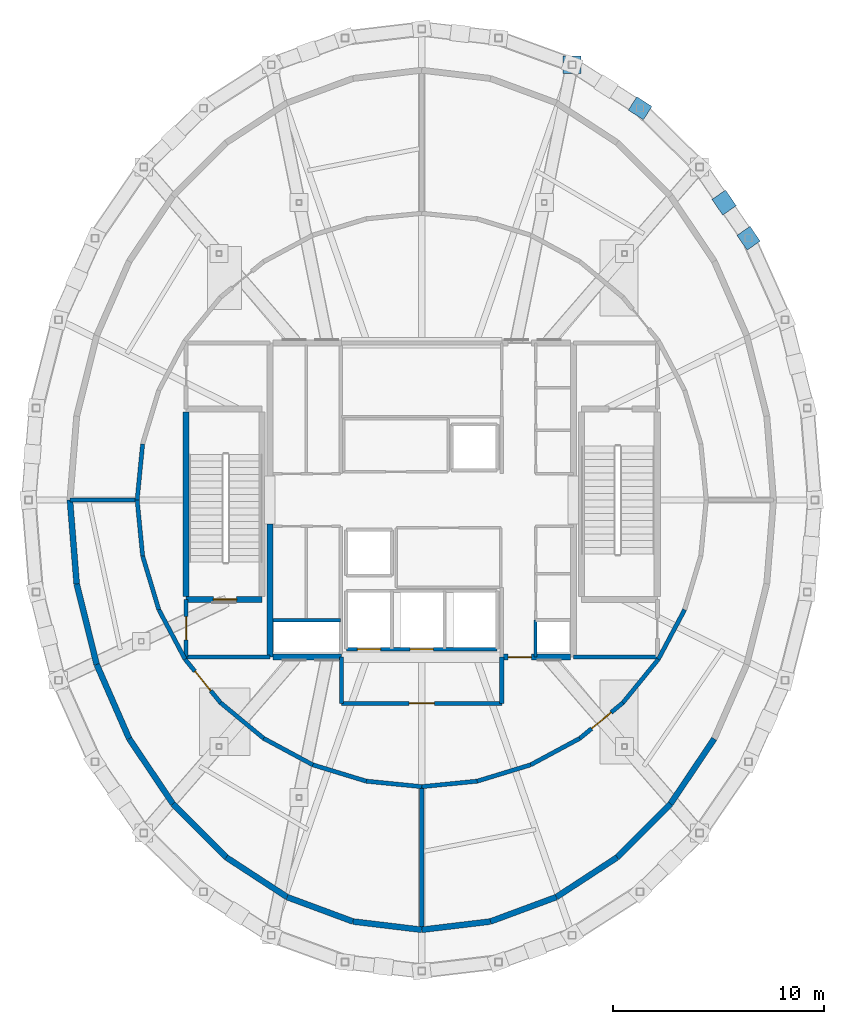
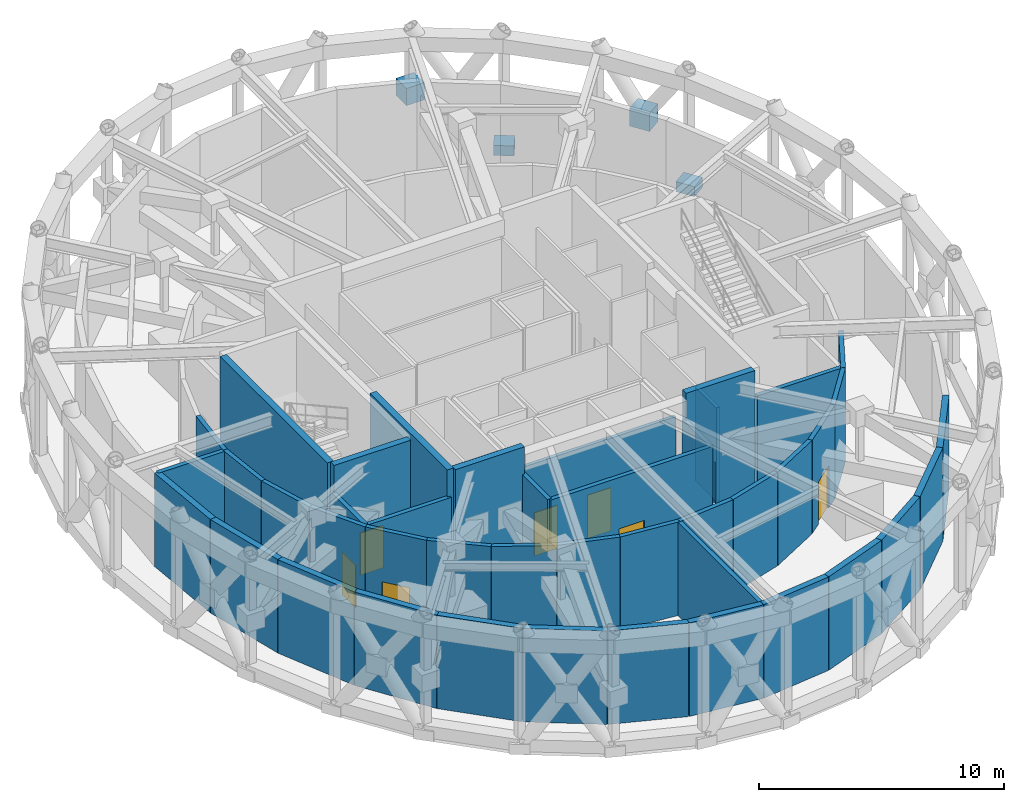
# One storey, part 6 of 11: 44 walls, 8 doors, 4 plates, 8 openings.
"""IFC4 building model written with IfcOpenShell, lengths in metres."""

from ifc_helpers import new_model, si_unit, direction, frame, frame_2d, origin, origin_2d, place, context, subcontext, project, spatial, rectangle, extrude, material, layer, layer_set, type_object, element, fill, save


model = new_model("IFC4")

# Units and contexts
model_context = context("Model", 3, precision=1e-05, world=origin(), true_north=direction((0.0, 1.0)))
body_context = subcontext(model_context, "Body", "Model", "MODEL_VIEW")
ifc_project = project(units=[si_unit("LENGTHUNIT", "METRE"), si_unit("AREAUNIT", "SQUARE_METRE"), si_unit("VOLUMEUNIT", "CUBIC_METRE"), si_unit("PLANEANGLEUNIT", "RADIAN"), si_unit("MASSUNIT", "GRAM", prefix="KILO")], contexts=[model_context])

# Site, building, storey
site_placement = place(None, origin())
site = spatial("IfcSite", under=ifc_project, at=site_placement, CompositionType="ELEMENT")
building_placement = place(site_placement, origin())
building = spatial("IfcBuilding", under=site, at=building_placement, Name="Veldorina Hangang Commons", CompositionType="ELEMENT")
storey_placement = place(building_placement, frame((0.0, 0.0, 302.39990234375)))
storey = spatial("IfcBuildingStorey", under=building, at=storey_placement, Name="L79", CompositionType="ELEMENT", Elevation=302.39990234375)

# Plates
ifc_material_1 = material(Name="Steel SM490-TMC", Category="steel")
ifc_layer_1 = layer(ifc_material_1, 0.044921875)
ifc_layer_set_1 = layer_set([ifc_layer_1], Name="Steel SM490-TMC")
plate_type_1 = type_object("IfcPlateType", Name="PL-NODE-45", PredefinedType="SHEET", material=ifc_layer_set_1)
plate_1_placement = place(storey_placement, frame((39.136962890625, 44.648681640625, 2.425048828125), z_axis=(0.0, 0.0, 1.0), x_axis=(1.0, 0.0, 0.0)))
element("IfcPlate", 1, at=plate_1_placement, inside=storey, type_object=plate_type_1, Name="L79 outrigger node plate 02-OT", PredefinedType="SHEET", context=body_context, shape_type="SweptSolid", body=[
    extrude(rectangle(XDim=0.85009765625, YDim=0.85009765625, at=origin_2d()), origin(), (0.0, 0.0, 1.0), 0.85009765625),
])
ifc_material_2 = material(Name="Steel SM460-TMC", Category="steel")
ifc_layer_2 = layer(ifc_material_2, 0.035888671875)
ifc_layer_set_2 = layer_set([ifc_layer_2], Name="Steel SM460-TMC")
plate_type_2 = type_object("IfcPlateType", Name="PL-STAR-36", PredefinedType="USERDEFINED", material=ifc_layer_set_2)
plate_2_placement = place(storey_placement, frame((47.5068359375, 36.4169921875, -0.08984375), z_axis=(0.0, 0.0, 1.0), x_axis=(-0.56503900601, 0.825064192465, 0.0)))
element("IfcPlate", 2, at=plate_2_placement, inside=storey, type_object=plate_type_2, Name="L79 diagrid star-node gusset plate 03", ObjectType="GUSSET PLATE", PredefinedType="USERDEFINED", context=body_context, shape_type="SweptSolid", body=[
    extrude(rectangle(XDim=0.85009765625, YDim=0.75, at=origin_2d()), origin(), (0.0, 0.0, 1.0), 0.5),
])
plate_3_placement = place(storey_placement, frame((46.34716796875, 38.1103515625, 2.550048828125), z_axis=(0.0, 0.0, 1.0), x_axis=(-0.56503900601, 0.825064192465, 0.0)))
element("IfcPlate", 3, at=plate_3_placement, inside=storey, type_object=plate_type_2, Name="L79 diagrid X-crossing star-node gusset plate 03", ObjectType="GUSSET PLATE", PredefinedType="USERDEFINED", context=body_context, shape_type="SweptSolid", body=[
    extrude(rectangle(XDim=0.89990234375, YDim=0.780029296875, at=origin_2d()), origin(), (0.0, 0.0, 1.0), 0.89990234375),
])
plate_4_placement = place(storey_placement, frame((42.361328125, 42.583251953125, -0.08984375), z_axis=(0.0, 0.0, 1.0), x_axis=(-0.842057231086, 0.53938819006, 0.0)))
element("IfcPlate", 4, at=plate_4_placement, inside=storey, type_object=plate_type_2, Name="L79 diagrid star-node gusset plate 05", ObjectType="GUSSET PLATE", PredefinedType="USERDEFINED", context=body_context, shape_type="SweptSolid", body=[
    extrude(rectangle(XDim=0.85009765625, YDim=0.75, at=origin_2d()), origin(), (0.0, 0.0, 1.0), 0.5),
])

# Walls
ifc_material_3 = material(Name="Concrete C50/60", Category="concrete")
ifc_layer_3 = layer(ifc_material_3, 0.300048828125)
ifc_layer_set_3 = layer_set([ifc_layer_3], Name="Concrete C50/60")
wall_type_1 = type_object("IfcWallType", Name="CW-RC300-C50", PredefinedType="SHEAR", material=ifc_layer_set_3)
wall_1_placement = place(storey_placement, frame((24.800048828125, 16.550048828125, 0.0), z_axis=(0.0, 0.0, 1.0), x_axis=(0.0, 1.0, 0.0)))
element("IfcWall", 5, at=wall_1_placement, inside=storey, type_object=wall_type_1, Name="L79 W south core shear wall", PredefinedType="SHEAR", context=body_context, shape_type="SweptSolid", body=[
    extrude(rectangle(XDim=6.300048828125, YDim=0.300048828125, at=frame_2d((3.14990234375, 0.0))), origin(), (0.0, 0.0, 1.0), 6.0),
])
wall_2_placement = place(storey_placement, frame((24.949951171875, 16.550048828125, 0.0), z_axis=(0.0, 0.0, 1.0), x_axis=(1.0, 0.0, 0.0)))
element("IfcWall", 6, at=wall_2_placement, inside=storey, type_object=wall_type_1, Name="L79 south-west core shear wall", PredefinedType="SHEAR", context=body_context, shape_type="SweptSolid", body=[
    extrude(rectangle(XDim=3.25, YDim=0.300048828125, at=frame_2d((1.625, 0.0))), origin(), (0.0, 0.0, 1.0), 6.0),
])

# Wall, opening, door
wall_3_placement = place(storey_placement, frame((35.800048828125, 16.550048828125, 0.0), z_axis=(0.0, 0.0, 1.0), x_axis=(1.0, 0.0, 0.0)))
wall_3 = element("IfcWall", 7, at=wall_3_placement, inside=storey, type_object=wall_type_1, Name="L79 south-east core shear wall", PredefinedType="SHEAR", context=body_context, shape_type="SweptSolid", body=[
    extrude(rectangle(XDim=3.25, YDim=0.300048828125, at=frame_2d((1.625, 0.0))), origin(), (0.0, 0.0, 1.0), 6.0),
])
opening_1_placement = place(wall_3_placement, frame((0.300048828125, 0.0, 0.0)))
opening_1 = element("IfcOpeningElement", 8, at=opening_1_placement, cuts=wall_3, Name="Opening D-08", PredefinedType="OPENING", context=body_context, shape_type="SweptSolid", body=[
    extrude(rectangle(XDim=1.10009765625, YDim=2.10009765625, at=frame_2d((0.550048828125, 1.050048828125))), frame((0.0, 0.16015625, 0.0), z_axis=(0.0, -1.0, 0.0), x_axis=(1.0, 0.0, 0.0)), (0.0, 0.0, 1.0), 0.320068359375),
])
ifc_material_4 = material(Name="Steel Fire-Rated Smoke Seal", Category="steel")
door_type_1 = type_object("IfcDoorType", Name="DR-FIRE-1100", OperationType="SINGLE_SWING_RIGHT", PredefinedType="DOOR", material=ifc_material_4)
door_1_placement = place(opening_1_placement, origin())
door_1 = element("IfcDoor", 9, at=door_1_placement, inside=storey, type_object=door_type_1, Name="L79 central lift lobby south corridor door", OperationType="SINGLE_SWING_RIGHT", OverallHeight=2.10009765625, OverallWidth=1.10009765625, PredefinedType="DOOR", context=body_context, shape_type="SweptSolid", body=[
    extrude(rectangle(XDim=1.10009765625, YDim=2.10009765625, at=frame_2d((0.550048828125, 1.050048828125))), frame((0.0, 0.02490234375, 0.0), z_axis=(0.0, -1.0, 0.0), x_axis=(1.0, 0.0, 0.0)), (0.0, 0.0, 1.0), 0.050048828125),
])
fill(opening_1, door_1)

# Walls
ifc_material_5 = material(Name="Stone Roman Travertine", Category="masonry")
ifc_layer_4 = layer(ifc_material_5, 0.280029296875)
ifc_layer_set_4 = layer_set([ifc_layer_4], Name="Stone Roman Travertine")
wall_type_2 = type_object("IfcWallType", Name="EW-TRAV-280", PredefinedType="STANDARD", material=ifc_layer_set_4)
wall_4_placement = place(storey_placement, frame((15.31005859375, 24.0, 0.0), z_axis=(0.0, 0.0, 1.0), x_axis=(0.080326348455, -0.996768617957, 0.0)))
element("IfcWall", 10, at=wall_4_placement, inside=storey, type_object=wall_type_2, Name="L79 top plant exterior stone wall 16", PredefinedType="STANDARD", context=body_context, shape_type="SweptSolid", body=[
    extrude(rectangle(XDim=3.99072265625, YDim=0.280029296875, at=frame_2d((1.995361328125, 0.0))), origin(), (0.0, 0.0, 1.0), 4.650146484375),
])
wall_5_placement = place(storey_placement, frame((15.630615234375, 20.022216796875, 0.0), z_axis=(0.0, 0.0, 1.0), x_axis=(0.241019551513, -0.97052026037, 0.0)))
element("IfcWall", 11, at=wall_5_placement, inside=storey, type_object=wall_type_2, Name="L79 top plant exterior stone wall 17", PredefinedType="STANDARD", context=body_context, shape_type="SweptSolid", body=[
    extrude(rectangle(XDim=3.94140625, YDim=0.280029296875, at=frame_2d((1.970703125, 0.0))), origin(), (0.0, 0.0, 1.0), 4.650146484375),
])
wall_6_placement = place(storey_placement, frame((16.58056640625, 16.197021484375, 0.0), z_axis=(0.0, 0.0, 1.0), x_axis=(0.400815505477, -0.916158791132, 0.0)))
element("IfcWall", 12, at=wall_6_placement, inside=storey, type_object=wall_type_2, Name="L79 top plant exterior stone wall 18", PredefinedType="STANDARD", context=body_context, shape_type="SweptSolid", body=[
    extrude(rectangle(XDim=3.84765625, YDim=0.280029296875, at=frame_2d((1.923828125, 0.0))), origin(), (0.0, 0.0, 1.0), 4.650146484375),
])
wall_7_placement = place(storey_placement, frame((18.122802734375, 12.671875, 0.0), z_axis=(0.0, 0.0, 1.0), x_axis=(0.557633086949, -0.830087549804, 0.0)))
element("IfcWall", 13, at=wall_7_placement, inside=storey, type_object=wall_type_2, Name="L79 top plant exterior stone wall 19", PredefinedType="STANDARD", context=body_context, shape_type="SweptSolid", body=[
    extrude(rectangle(XDim=3.722412109375, YDim=0.280029296875, at=frame_2d((1.861328125, 0.0))), origin(), (0.0, 0.0, 1.0), 4.650146484375),
])
wall_8_placement = place(storey_placement, frame((20.198486328125, 9.58203125, 0.0), z_axis=(0.0, 0.0, 1.0), x_axis=(0.706185870551, -0.708026494019, 0.0)))
element("IfcWall", 14, at=wall_8_placement, inside=storey, type_object=wall_type_2, Name="L79 top plant exterior stone wall 20", PredefinedType="STANDARD", context=body_context, shape_type="SweptSolid", body=[
    extrude(rectangle(XDim=3.581298828125, YDim=0.280029296875, at=frame_2d((1.79052734375, 0.0))), origin(), (0.0, 0.0, 1.0), 4.650146484375),
])
wall_9_placement = place(storey_placement, frame((22.7275390625, 7.04638671875, 0.0), z_axis=(0.0, 0.0, 1.0), x_axis=(0.837287713191, -0.54676254932, 0.0)))
element("IfcWall", 15, at=wall_9_placement, inside=storey, type_object=wall_type_2, Name="L79 top plant exterior stone wall 21", PredefinedType="STANDARD", context=body_context, shape_type="SweptSolid", body=[
    extrude(rectangle(XDim=3.4462890625, YDim=0.280029296875, at=frame_2d((1.72314453125, 0.0))), origin(), (0.0, 0.0, 1.0), 4.650146484375),
])
wall_10_placement = place(storey_placement, frame((25.613037109375, 5.162109375, 0.0), z_axis=(0.0, 0.0, 1.0), x_axis=(0.937668473187, -0.347531055291, 0.0)))
element("IfcWall", 16, at=wall_10_placement, inside=storey, type_object=wall_type_2, Name="L79 top plant exterior stone wall 22", PredefinedType="STANDARD", context=body_context, shape_type="SweptSolid", body=[
    extrude(rectangle(XDim=3.3388671875, YDim=0.280029296875, at=frame_2d((1.66943359375, 0.0))), origin(), (0.0, 0.0, 1.0), 4.650146484375),
])
for number, where, z_axis, x_axis, name in (
    (17, (28.743896484375, 4.001708984375, 0.0), (0.0, 0.0, 1.0), (0.992845453541, -0.119406471281, 0.0), "L79 top plant exterior stone wall 23"),
    (18, (32.0, 3.610107421875, 0.0), (0.0, 0.0, 1.0), (0.992845453541, 0.119406471281, 0.0), "L79 top plant exterior stone wall 24"),
):
    element("IfcWall", number, at=place(storey_placement, frame(where, z_axis=z_axis, x_axis=x_axis)), inside=storey, type_object=wall_type_2, Name=name, PredefinedType="STANDARD", context=body_context, shape_type="SweptSolid", body=[
        extrude(rectangle(XDim=3.279541015625, YDim=0.280029296875, at=frame_2d((1.6396484375, 0.0))), origin(), (0.0, 0.0, 1.0), 4.650146484375),
    ])
wall_11_placement = place(storey_placement, frame((35.256103515625, 4.001708984375, 0.0), z_axis=(0.0, 0.0, 1.0), x_axis=(0.937668473187, 0.347531055291, 0.0)))
element("IfcWall", 19, at=wall_11_placement, inside=storey, type_object=wall_type_2, Name="L79 top plant exterior stone wall 25", PredefinedType="STANDARD", context=body_context, shape_type="SweptSolid", body=[
    extrude(rectangle(XDim=3.3388671875, YDim=0.280029296875, at=frame_2d((1.66943359375, 0.0))), origin(), (0.0, 0.0, 1.0), 4.650146484375),
])
wall_12_placement = place(storey_placement, frame((38.386962890625, 5.162109375, 0.0), z_axis=(0.0, 0.0, 1.0), x_axis=(0.837287713191, 0.54676254932, 0.0)))
element("IfcWall", 20, at=wall_12_placement, inside=storey, type_object=wall_type_2, Name="L79 top plant exterior stone wall 26", PredefinedType="STANDARD", context=body_context, shape_type="SweptSolid", body=[
    extrude(rectangle(XDim=3.4462890625, YDim=0.280029296875, at=frame_2d((1.72314453125, 0.0))), origin(), (0.0, 0.0, 1.0), 4.650146484375),
])
wall_13_placement = place(storey_placement, frame((41.2724609375, 7.04638671875, 0.0), z_axis=(0.0, 0.0, 1.0), x_axis=(0.706185870551, 0.708026494019, 0.0)))
element("IfcWall", 21, at=wall_13_placement, inside=storey, type_object=wall_type_2, Name="L79 top plant exterior stone wall 27", PredefinedType="STANDARD", context=body_context, shape_type="SweptSolid", body=[
    extrude(rectangle(XDim=3.581298828125, YDim=0.280029296875, at=frame_2d((1.79052734375, 0.0))), origin(), (0.0, 0.0, 1.0), 4.650146484375),
])
wall_14_placement = place(storey_placement, frame((43.801513671875, 9.58203125, 0.0), z_axis=(0.0, 0.0, 1.0), x_axis=(0.557633086949, 0.830087549804, 0.0)))
element("IfcWall", 22, at=wall_14_placement, inside=storey, type_object=wall_type_2, Name="L79 top plant exterior stone wall 28", PredefinedType="STANDARD", context=body_context, shape_type="SweptSolid", body=[
    extrude(rectangle(XDim=3.722412109375, YDim=0.280029296875, at=frame_2d((1.861328125, 0.0))), origin(), (0.0, 0.0, 1.0), 4.650146484375),
])
ifc_layer_5 = layer(ifc_material_3, 0.300048828125)
ifc_layer_set_5 = layer_set([ifc_layer_5], Name="Concrete C50/60")
wall_type_3 = type_object("IfcWallType", Name="SW-STAIR-300", PredefinedType="SHEAR", material=ifc_layer_set_5)
wall_15_placement = place(storey_placement, frame((20.820068359375, 19.429931640625, 0.0), z_axis=(0.0, 0.0, 1.0), x_axis=(0.0, 1.0, 0.0)))
element("IfcWall", 23, at=wall_15_placement, inside=storey, type_object=wall_type_3, Name="L79 ST1 outer stair shear wall", PredefinedType="SHEAR", context=body_context, shape_type="SweptSolid", body=[
    extrude(rectangle(XDim=8.739990234375, YDim=0.300048828125, at=frame_2d((4.3701171875, 0.0))), origin(), (0.0, 0.0, 1.0), 6.0),
])

# Wall, opening, door
wall_16_placement = place(storey_placement, frame((20.820068359375, 19.280029296875, 0.0), z_axis=(0.0, 0.0, 1.0), x_axis=(1.0, 0.0, 0.0)))
wall_16 = element("IfcWall", 24, at=wall_16_placement, inside=storey, type_object=wall_type_3, Name="L79 ST1 south stair shear wall", PredefinedType="SHEAR", context=body_context, shape_type="SweptSolid", body=[
    extrude(rectangle(XDim=3.599853515625, YDim=0.300048828125, at=frame_2d((1.7998046875, 0.0))), origin(), (0.0, 0.0, 1.0), 6.0),
])
opening_2_placement = place(wall_16_placement, frame((1.300048828125, 0.0, 0.0)))
opening_2 = element("IfcOpeningElement", 25, at=opening_2_placement, cuts=wall_16, Name="Opening D-08", PredefinedType="OPENING", context=body_context, shape_type="SweptSolid", body=[
    extrude(rectangle(XDim=1.10009765625, YDim=2.10009765625, at=frame_2d((0.550048828125, 1.050048828125))), frame((0.0, 0.16015625, 0.0), z_axis=(0.0, -1.0, 0.0), x_axis=(1.0, 0.0, 0.0)), (0.0, 0.0, 1.0), 0.320068359375),
])
door_2_placement = place(opening_2_placement, origin())
door_2 = element("IfcDoor", 26, at=door_2_placement, inside=storey, type_object=door_type_1, Name="L79 Special Escape Stair ST-1 door", OperationType="SINGLE_SWING_LEFT", OverallHeight=2.10009765625, OverallWidth=1.10009765625, PredefinedType="DOOR", context=body_context, shape_type="SweptSolid", body=[
    extrude(rectangle(XDim=1.10009765625, YDim=2.10009765625, at=frame_2d((0.550048828125, 1.050048828125))), frame((0.0, 0.02490234375, 0.0), z_axis=(0.0, -1.0, 0.0), x_axis=(1.0, 0.0, 0.0)), (0.0, 0.0, 1.0), 0.050048828125),
])
fill(opening_2, door_2)

# Wall
ifc_material_6 = material(Name="Gypsum Fire-Rated Twin Stud Wall", Category="gypsum")
ifc_layer_6 = layer(ifc_material_6, 0.159912109375)
ifc_layer_set_6 = layer_set([ifc_layer_6], Name="Gypsum Fire-Rated Twin Stud Wall")
wall_type_4 = type_object("IfcWallType", Name="WL-FIRE-160", PredefinedType="SOLIDWALL", material=ifc_layer_set_6)
wall_17_placement = place(storey_placement, frame((37.39990234375, 16.550048828125, 0.0), z_axis=(0.0, 0.0, 1.0), x_axis=(0.0, 1.0, 0.0)))
element("IfcWall", 27, at=wall_17_placement, inside=storey, type_object=wall_type_4, Name="L79 Lift passage SE stub 010", PredefinedType="SOLIDWALL", context=body_context, shape_type="SweptSolid", body=[
    extrude(rectangle(XDim=1.75, YDim=0.159912109375, at=frame_2d((0.875, 0.0))), origin(), (0.0, 0.0, 1.0), 4.650146484375),
])

# Wall, openings, doors
wall_18_placement = place(storey_placement, frame((28.419921875, 16.919921875, 0.0), z_axis=(0.0, 0.0, 1.0), x_axis=(1.0, 0.0, 0.0)))
wall_18 = element("IfcWall", 28, at=wall_18_placement, inside=storey, type_object=wall_type_4, Name="L79 Emergency front shaft wall 023", PredefinedType="SOLIDWALL", context=body_context, shape_type="SweptSolid", body=[
    extrude(rectangle(XDim=7.16015625, YDim=0.159912109375, at=frame_2d((3.580078125, 0.0))), origin(), (0.0, 0.0, 1.0), 4.650146484375),
])
opening_3_placement = place(wall_18_placement, frame((0.530029296875, 0.0, 0.0)))
opening_3 = element("IfcOpeningElement", 29, at=opening_3_placement, cuts=wall_18, Name="Opening LD-03", PredefinedType="OPENING", context=body_context, shape_type="SweptSolid", body=[
    extrude(rectangle(XDim=1.10009765625, YDim=2.14990234375, at=frame_2d((0.550048828125, 1.074951171875))), frame((0.0, 0.08984375, 0.0), z_axis=(0.0, -1.0, 0.0), x_axis=(1.0, 0.0, 0.0)), (0.0, 0.0, 1.0), 0.179931640625),
])
opening_4_placement = place(wall_18_placement, frame((3.030029296875, 0.0, 0.0)))
opening_4 = element("IfcOpeningElement", 30, at=opening_4_placement, cuts=wall_18, Name="Opening LD-03", PredefinedType="OPENING", context=body_context, shape_type="SweptSolid", body=[
    extrude(rectangle(XDim=1.10009765625, YDim=2.14990234375, at=frame_2d((0.550048828125, 1.074951171875))), frame((0.0, 0.08984375, 0.0), z_axis=(0.0, -1.0, 0.0), x_axis=(1.0, 0.0, 0.0)), (0.0, 0.0, 1.0), 0.179931640625),
])
ifc_material_7 = material(Name="Stainless Steel Firefighting Lift Door", Category="steel")
door_type_2 = type_object("IfcDoorType", Name="DR-LIFT-FF1100", OperationType="SLIDING_TO_RIGHT", PredefinedType="DOOR", material=ifc_material_7)
door_3_placement = place(opening_3_placement, origin())
door_3 = element("IfcDoor", 31, at=door_3_placement, inside=storey, type_object=door_type_2, Name="L79 Emergency lift FFL-1 landing door 006", OperationType="SLIDING_TO_RIGHT", OverallHeight=2.14990234375, OverallWidth=1.10009765625, PredefinedType="DOOR", context=body_context, shape_type="SweptSolid", body=[
    extrude(rectangle(XDim=1.10009765625, YDim=2.14990234375, at=frame_2d((0.550048828125, 1.074951171875))), frame((0.0, 0.02490234375, 0.0), z_axis=(0.0, -1.0, 0.0), x_axis=(1.0, 0.0, 0.0)), (0.0, 0.0, 1.0), 0.050048828125),
])
fill(opening_3, door_3)
door_4_placement = place(opening_4_placement, origin())
door_4 = element("IfcDoor", 32, at=door_4_placement, inside=storey, type_object=door_type_2, Name="L79 Emergency lift FFL-2 landing door 007", OperationType="SLIDING_TO_RIGHT", OverallHeight=2.14990234375, OverallWidth=1.10009765625, PredefinedType="DOOR", context=body_context, shape_type="SweptSolid", body=[
    extrude(rectangle(XDim=1.10009765625, YDim=2.14990234375, at=frame_2d((0.550048828125, 1.074951171875))), frame((0.0, 0.02490234375, 0.0), z_axis=(0.0, -1.0, 0.0), x_axis=(1.0, 0.0, 0.0)), (0.0, 0.0, 1.0), 0.050048828125),
])
fill(opening_4, door_4)

# Wall
wall_19_placement = place(storey_placement, frame((24.949951171875, 18.300048828125, 0.0), z_axis=(0.0, 0.0, 1.0), x_axis=(1.0, 0.0, 0.0)))
element("IfcWall", 33, at=wall_19_placement, inside=storey, type_object=wall_type_4, Name="L79 Electrical riser wall 040", PredefinedType="SOLIDWALL", context=body_context, shape_type="SweptSolid", body=[
    extrude(rectangle(XDim=3.199951171875, YDim=0.159912109375, at=frame_2d((1.60009765625, 0.0))), origin(), (0.0, 0.0, 1.0), 4.650146484375),
])

# Wall, opening, door
ifc_material_8 = material(Name="Concrete Blockwork Fire Wall C30/37", Category="masonry")
ifc_layer_7 = layer(ifc_material_8, 0.199951171875)
ifc_layer_set_7 = layer_set([ifc_layer_7], Name="Concrete Blockwork Fire Wall C30/37")
wall_type_5 = type_object("IfcWallType", Name="WL-FIRE-200", PredefinedType="SOLIDWALL", material=ifc_layer_set_7)
wall_20_placement = place(storey_placement, frame((20.820068359375, 16.550048828125, 0.0), z_axis=(0.0, 0.0, 1.0), x_axis=(0.0, 1.0, 0.0)))
wall_20 = element("IfcWall", 34, at=wall_20_placement, inside=storey, type_object=wall_type_5, Name="L79 West vestibule outer wall 001", PredefinedType="SOLIDWALL", context=body_context, shape_type="SweptSolid", body=[
    extrude(rectangle(XDim=2.72998046875, YDim=0.199951171875, at=frame_2d((1.364990234375, 0.0))), origin(), (0.0, 0.0, 1.0), 4.650146484375),
])
opening_5_placement = place(wall_20_placement, frame((0.81494140625, 0.0, 0.0)))
opening_5 = element("IfcOpeningElement", 35, at=opening_5_placement, cuts=wall_20, Name="Opening D-08", PredefinedType="OPENING", context=body_context, shape_type="SweptSolid", body=[
    extrude(rectangle(XDim=1.10009765625, YDim=2.10009765625, at=frame_2d((0.550048828125, 1.050048828125))), frame((0.0, 0.10986328125, 0.0), z_axis=(0.0, -1.0, 0.0), x_axis=(1.0, 0.0, 0.0)), (0.0, 0.0, 1.0), 0.219970703125),
])
door_5_placement = place(opening_5_placement, origin())
door_5 = element("IfcDoor", 36, at=door_5_placement, inside=storey, type_object=door_type_1, Name="L79 West vestibule west door 001", OperationType="SINGLE_SWING_LEFT", OverallHeight=2.10009765625, OverallWidth=1.10009765625, PredefinedType="DOOR", context=body_context, shape_type="SweptSolid", body=[
    extrude(rectangle(XDim=1.10009765625, YDim=2.10009765625, at=frame_2d((0.550048828125, 1.050048828125))), frame((0.0, 0.02490234375, 0.0), z_axis=(0.0, -1.0, 0.0), x_axis=(1.0, 0.0, 0.0)), (0.0, 0.0, 1.0), 0.050048828125),
])
fill(opening_5, door_5)

# Walls
for number, where, z_axis, x_axis, name in (
    (37, (20.820068359375, 16.550048828125, 0.0), (0.0, 0.0, 1.0), (1.0, 0.0, 0.0), "L79 West vestibule south wall 002"),
    (38, (39.199951171875, 16.550048828125, 0.0), (0.0, 0.0, 1.0), (1.0, 0.0, 0.0), "L79 SE core room south wall 008"),
):
    element("IfcWall", number, at=place(storey_placement, frame(where, z_axis=z_axis, x_axis=x_axis)), inside=storey, type_object=wall_type_5, Name=name, PredefinedType="SOLIDWALL", context=body_context, shape_type="SweptSolid", body=[
        extrude(rectangle(XDim=3.97998046875, YDim=0.199951171875, at=frame_2d((1.989990234375, 0.0))), origin(), (0.0, 0.0, 1.0), 4.650146484375),
    ])
for number, where, z_axis, x_axis, name in (
    (39, (28.199951171875, 14.35009765625, 0.0), (0.0, 0.0, 1.0), (0.0, 1.0, 0.0), "L79 FF lobby west wall 012"),
    (40, (35.800048828125, 14.35009765625, 0.0), (0.0, 0.0, 1.0), (0.0, 1.0, 0.0), "L79 FF lobby east wall 013"),
):
    element("IfcWall", number, at=place(storey_placement, frame(where, z_axis=z_axis, x_axis=x_axis)), inside=storey, type_object=wall_type_5, Name=name, PredefinedType="SOLIDWALL", context=body_context, shape_type="SweptSolid", body=[
        extrude(rectangle(XDim=2.199951171875, YDim=0.199951171875, at=frame_2d((1.10009765625, 0.0))), origin(), (0.0, 0.0, 1.0), 4.650146484375),
    ])

# Wall, opening, door
wall_21_placement = place(storey_placement, frame((28.199951171875, 14.35009765625, 0.0), z_axis=(0.0, 0.0, 1.0), x_axis=(1.0, 0.0, 0.0)))
wall_21 = element("IfcWall", 41, at=wall_21_placement, inside=storey, type_object=wall_type_5, Name="L79 FF lobby south wall 014", PredefinedType="SOLIDWALL", context=body_context, shape_type="SweptSolid", body=[
    extrude(rectangle(XDim=7.60009765625, YDim=0.199951171875, at=frame_2d((3.800048828125, 0.0))), origin(), (0.0, 0.0, 1.0), 4.650146484375),
])
opening_6_placement = place(wall_21_placement, frame((3.199951171875, 0.0, 0.0)))
opening_6 = element("IfcOpeningElement", 42, at=opening_6_placement, cuts=wall_21, Name="Opening D-09", PredefinedType="OPENING", context=body_context, shape_type="SweptSolid", body=[
    extrude(rectangle(XDim=1.199951171875, YDim=2.10009765625, at=frame_2d((0.60009765625, 1.050048828125))), frame((0.0, 0.10986328125, 0.0), z_axis=(0.0, -1.0, 0.0), x_axis=(1.0, 0.0, 0.0)), (0.0, 0.0, 1.0), 0.219970703125),
])
ifc_material_9 = material(Name="Steel Fire-Rated Corridor Door", Category="steel")
door_type_3 = type_object("IfcDoorType", Name="DR-FIRE-1200", OperationType="SINGLE_SWING_LEFT", PredefinedType="DOOR", material=ifc_material_9)
door_6_placement = place(opening_6_placement, origin())
door_6 = element("IfcDoor", 43, at=door_6_placement, inside=storey, type_object=door_type_3, Name="L79 FF lobby south corridor door 005", OperationType="SINGLE_SWING_LEFT", OverallHeight=2.10009765625, OverallWidth=1.199951171875, PredefinedType="DOOR", context=body_context, shape_type="SweptSolid", body=[
    extrude(rectangle(XDim=1.199951171875, YDim=2.10009765625, at=frame_2d((0.60009765625, 1.050048828125))), frame((0.0, 0.02490234375, 0.0), z_axis=(0.0, -1.0, 0.0), x_axis=(1.0, 0.0, 0.0)), (0.0, 0.0, 1.0), 0.050048828125),
])
fill(opening_6, door_6)

# Walls
for number, where, z_axis, x_axis, name in (
    (44, (18.759521484375, 26.6533203125, 0.0), (0.0, 0.0, 1.0), (-0.097345549719, -0.995250643783, 0.0), "L79 L79 corridor wall 15 070"),
    (45, (18.5, 24.0, 0.0), (0.0, 0.0, 1.0), (0.097345549719, -0.995250643783, 0.0), "L79 L79 corridor wall 16 071"),
):
    element("IfcWall", number, at=place(storey_placement, frame(where, z_axis=z_axis, x_axis=x_axis)), inside=storey, type_object=wall_type_5, Name=name, PredefinedType="SOLIDWALL", context=body_context, shape_type="SweptSolid", body=[
        extrude(rectangle(XDim=2.666015625, YDim=0.199951171875, at=frame_2d((1.3330078125, 0.0))), origin(), (0.0, 0.0, 1.0), 4.650146484375),
    ])
wall_22_placement = place(storey_placement, frame((18.759521484375, 21.3466796875, 0.0), z_axis=(0.0, 0.0, 1.0), x_axis=(0.288272472485, -0.957548422591, 0.0)))
element("IfcWall", 46, at=wall_22_placement, inside=storey, type_object=wall_type_5, Name="L79 L79 corridor wall 17 072", PredefinedType="SOLIDWALL", context=body_context, shape_type="SweptSolid", body=[
    extrude(rectangle(XDim=2.664306640625, YDim=0.199951171875, at=frame_2d((1.33203125, 0.0))), origin(), (0.0, 0.0, 1.0), 4.650146484375),
])
wall_23_placement = place(storey_placement, frame((19.527587890625, 18.79541015625, 0.0), z_axis=(0.0, 0.0, 1.0), x_axis=(0.468692436902, -0.883361420705, 0.0)))
element("IfcWall", 47, at=wall_23_placement, inside=storey, type_object=wall_type_5, Name="L79 L79 corridor wall 18 073", PredefinedType="SOLIDWALL", context=body_context, shape_type="SweptSolid", body=[
    extrude(rectangle(XDim=2.661865234375, YDim=0.199951171875, at=frame_2d((1.3310546875, 0.0))), origin(), (0.0, 0.0, 1.0), 4.650146484375),
])

# Wall, opening, door
wall_24_placement = place(storey_placement, frame((20.775146484375, 16.444091796875, 0.0), z_axis=(0.0, 0.0, 1.0), x_axis=(0.631625929015, -0.775273297487, 0.0)))
wall_24 = element("IfcWall", 48, at=wall_24_placement, inside=storey, type_object=wall_type_5, Name="L79 L79 corridor wall 19 074", PredefinedType="SOLIDWALL", context=body_context, shape_type="SweptSolid", body=[
    extrude(rectangle(XDim=2.658203125, YDim=0.199951171875, at=frame_2d((1.3291015625, 0.0))), origin(), (0.0, 0.0, 1.0), 4.650146484375),
])
opening_7_placement = place(wall_24_placement, frame((0.72900390625, 0.0, 0.0)))
opening_7 = element("IfcOpeningElement", 49, at=opening_7_placement, cuts=wall_24, Name="Opening D-10", PredefinedType="OPENING", context=body_context, shape_type="SweptSolid", body=[
    extrude(rectangle(XDim=1.199951171875, YDim=2.10009765625, at=frame_2d((0.60009765625, 1.050048828125))), frame((0.0, 0.10986328125, 0.0), z_axis=(0.0, -1.0, 0.0), x_axis=(1.0, 0.0, 0.0)), (0.0, 0.0, 1.0), 0.219970703125),
])
ifc_material_10 = material(Name="Steel Heavy-Duty Acoustic Plant", Category="steel")
door_type_4 = type_object("IfcDoorType", Name="DR-PLANT-1200", OperationType="SINGLE_SWING_RIGHT", PredefinedType="DOOR", material=ifc_material_10)
door_7_placement = place(opening_7_placement, origin())
door_7 = element("IfcDoor", 50, at=door_7_placement, inside=storey, type_object=door_type_4, Name="L79 Gravity Fire Water Tank Room door 022", OperationType="SINGLE_SWING_RIGHT", OverallHeight=2.10009765625, OverallWidth=1.199951171875, PredefinedType="DOOR", context=body_context, shape_type="SweptSolid", body=[
    extrude(rectangle(XDim=1.199951171875, YDim=2.10009765625, at=frame_2d((0.60009765625, 1.050048828125))), frame((0.0, 0.02490234375, 0.0), z_axis=(0.0, -1.0, 0.0), x_axis=(1.0, 0.0, 0.0)), (0.0, 0.0, 1.0), 0.050048828125),
])
fill(opening_7, door_7)

# Walls
wall_25_placement = place(storey_placement, frame((22.4541015625, 14.38330078125, 0.0), z_axis=(0.0, 0.0, 1.0), x_axis=(0.770680886444, -0.63722128909, 0.0)))
element("IfcWall", 51, at=wall_25_placement, inside=storey, type_object=wall_type_5, Name="L79 L79 corridor wall 20 075", PredefinedType="SOLIDWALL", context=body_context, shape_type="SweptSolid", body=[
    extrude(rectangle(XDim=2.654296875, YDim=0.199951171875, at=frame_2d((1.3271484375, 0.0))), origin(), (0.0, 0.0, 1.0), 4.650146484375),
])
wall_26_placement = place(storey_placement, frame((24.499755859375, 12.69189453125, 0.0), z_axis=(0.0, 0.0, 1.0), x_axis=(0.880497715246, -0.474050391252, 0.0)))
element("IfcWall", 52, at=wall_26_placement, inside=storey, type_object=wall_type_5, Name="L79 L79 corridor wall 21 076", PredefinedType="SOLIDWALL", context=body_context, shape_type="SweptSolid", body=[
    extrude(rectangle(XDim=2.650634765625, YDim=0.199951171875, at=frame_2d((1.3251953125, 0.0))), origin(), (0.0, 0.0, 1.0), 4.650146484375),
])
wall_27_placement = place(storey_placement, frame((26.833740234375, 11.435302734375, 0.0), z_axis=(0.0, 0.0, 1.0), x_axis=(0.956339403337, -0.292258354244, 0.0)))
element("IfcWall", 53, at=wall_27_placement, inside=storey, type_object=wall_type_5, Name="L79 L79 corridor wall 22 077", PredefinedType="SOLIDWALL", context=body_context, shape_type="SweptSolid", body=[
    extrude(rectangle(XDim=2.648193359375, YDim=0.199951171875, at=frame_2d((1.32421875, 0.0))), origin(), (0.0, 0.0, 1.0), 4.650146484375),
])
for number, where, z_axis, x_axis, name in (
    (54, (29.3662109375, 10.661376953125, 0.0), (0.0, 0.0, 1.0), (0.995108171714, -0.098791328504, 0.0), "L79 L79 corridor wall 23 078"),
    (55, (32.0, 10.39990234375, 0.0), (0.0, 0.0, 1.0), (0.995108171714, 0.098791328504, 0.0), "L79 L79 corridor wall 24 079"),
):
    element("IfcWall", number, at=place(storey_placement, frame(where, z_axis=z_axis, x_axis=x_axis)), inside=storey, type_object=wall_type_5, Name=name, PredefinedType="SOLIDWALL", context=body_context, shape_type="SweptSolid", body=[
        extrude(rectangle(XDim=2.646728515625, YDim=0.199951171875, at=frame_2d((1.3232421875, 0.0))), origin(), (0.0, 0.0, 1.0), 4.650146484375),
    ])
wall_28_placement = place(storey_placement, frame((34.6337890625, 10.661376953125, 0.0), z_axis=(0.0, 0.0, 1.0), x_axis=(0.956339403337, 0.292258354244, 0.0)))
element("IfcWall", 56, at=wall_28_placement, inside=storey, type_object=wall_type_5, Name="L79 L79 corridor wall 25 080", PredefinedType="SOLIDWALL", context=body_context, shape_type="SweptSolid", body=[
    extrude(rectangle(XDim=2.648193359375, YDim=0.199951171875, at=frame_2d((1.32421875, 0.0))), origin(), (0.0, 0.0, 1.0), 4.650146484375),
])
wall_29_placement = place(storey_placement, frame((37.166259765625, 11.435302734375, 0.0), z_axis=(0.0, 0.0, 1.0), x_axis=(0.880497715246, 0.474050391252, 0.0)))
element("IfcWall", 57, at=wall_29_placement, inside=storey, type_object=wall_type_5, Name="L79 L79 corridor wall 26 081", PredefinedType="SOLIDWALL", context=body_context, shape_type="SweptSolid", body=[
    extrude(rectangle(XDim=2.650634765625, YDim=0.199951171875, at=frame_2d((1.3251953125, 0.0))), origin(), (0.0, 0.0, 1.0), 4.650146484375),
])

# Wall, opening, door
wall_30_placement = place(storey_placement, frame((39.500244140625, 12.69189453125, 0.0), z_axis=(0.0, 0.0, 1.0), x_axis=(0.770680886444, 0.63722128909, 0.0)))
wall_30 = element("IfcWall", 58, at=wall_30_placement, inside=storey, type_object=wall_type_5, Name="L79 L79 corridor wall 27 082", PredefinedType="SOLIDWALL", context=body_context, shape_type="SweptSolid", body=[
    extrude(rectangle(XDim=2.654296875, YDim=0.199951171875, at=frame_2d((1.3271484375, 0.0))), origin(), (0.0, 0.0, 1.0), 4.650146484375),
])
opening_8_placement = place(wall_30_placement, frame((0.727294921875, 0.0, 0.0)))
opening_8 = element("IfcOpeningElement", 59, at=opening_8_placement, cuts=wall_30, Name="Opening D-10", PredefinedType="OPENING", context=body_context, shape_type="SweptSolid", body=[
    extrude(rectangle(XDim=1.199951171875, YDim=2.10009765625, at=frame_2d((0.60009765625, 1.050048828125))), frame((0.0, 0.10986328125, 0.0), z_axis=(0.0, -1.0, 0.0), x_axis=(1.0, 0.0, 0.0)), (0.0, 0.0, 1.0), 0.219970703125),
])
door_8_placement = place(opening_8_placement, origin())
door_8 = element("IfcDoor", 60, at=door_8_placement, inside=storey, type_object=door_type_4, Name="L79 Standby Emergency Generator Room door 023", OperationType="SINGLE_SWING_LEFT", OverallHeight=2.10009765625, OverallWidth=1.199951171875, PredefinedType="DOOR", context=body_context, shape_type="SweptSolid", body=[
    extrude(rectangle(XDim=1.199951171875, YDim=2.10009765625, at=frame_2d((0.60009765625, 1.050048828125))), frame((0.0, 0.02490234375, 0.0), z_axis=(0.0, -1.0, 0.0), x_axis=(1.0, 0.0, 0.0)), (0.0, 0.0, 1.0), 0.050048828125),
])
fill(opening_8, door_8)

# Walls
wall_31_placement = place(storey_placement, frame((41.5458984375, 14.38330078125, 0.0), z_axis=(0.0, 0.0, 1.0), x_axis=(0.631625929015, 0.775273297487, 0.0)))
element("IfcWall", 61, at=wall_31_placement, inside=storey, type_object=wall_type_5, Name="L79 L79 corridor wall 28 083", PredefinedType="SOLIDWALL", context=body_context, shape_type="SweptSolid", body=[
    extrude(rectangle(XDim=2.658203125, YDim=0.199951171875, at=frame_2d((1.3291015625, 0.0))), origin(), (0.0, 0.0, 1.0), 4.650146484375),
])
wall_32_placement = place(storey_placement, frame((43.224853515625, 16.444091796875, 0.0), z_axis=(0.0, 0.0, 1.0), x_axis=(0.468692436902, 0.883361420705, 0.0)))
element("IfcWall", 62, at=wall_32_placement, inside=storey, type_object=wall_type_5, Name="L79 L79 corridor wall 29 084", PredefinedType="SOLIDWALL", context=body_context, shape_type="SweptSolid", body=[
    extrude(rectangle(XDim=2.661865234375, YDim=0.199951171875, at=frame_2d((1.3310546875, 0.0))), origin(), (0.0, 0.0, 1.0), 4.650146484375),
])
wall_33_placement = place(storey_placement, frame((18.5, 24.0, 0.0), z_axis=(0.0, 0.0, 1.0), x_axis=(-1.0, 0.0, 0.0)))
element("IfcWall", 63, at=wall_33_placement, inside=storey, type_object=wall_type_5, Name="L79 Gravity Fire Water Tank Room wall 089", PredefinedType="SOLIDWALL", context=body_context, shape_type="SweptSolid", body=[
    extrude(rectangle(XDim=3.18994140625, YDim=0.199951171875, at=frame_2d((1.594970703125, 0.0))), origin(), (0.0, 0.0, 1.0), 4.650146484375),
])
wall_34_placement = place(storey_placement, frame((32.0, 10.39990234375, 0.0), z_axis=(0.0, 0.0, 1.0), x_axis=(0.0, -1.0, 0.0)))
element("IfcWall", 64, at=wall_34_placement, inside=storey, type_object=wall_type_5, Name="L79 Standby Emergency Generator Room wall 090", PredefinedType="SOLIDWALL", context=body_context, shape_type="SweptSolid", body=[
    extrude(rectangle(XDim=6.789794921875, YDim=0.199951171875, at=frame_2d((3.39501953125, 0.0))), origin(), (0.0, 0.0, 1.0), 4.650146484375),
])

save(model, "model.ifc")
